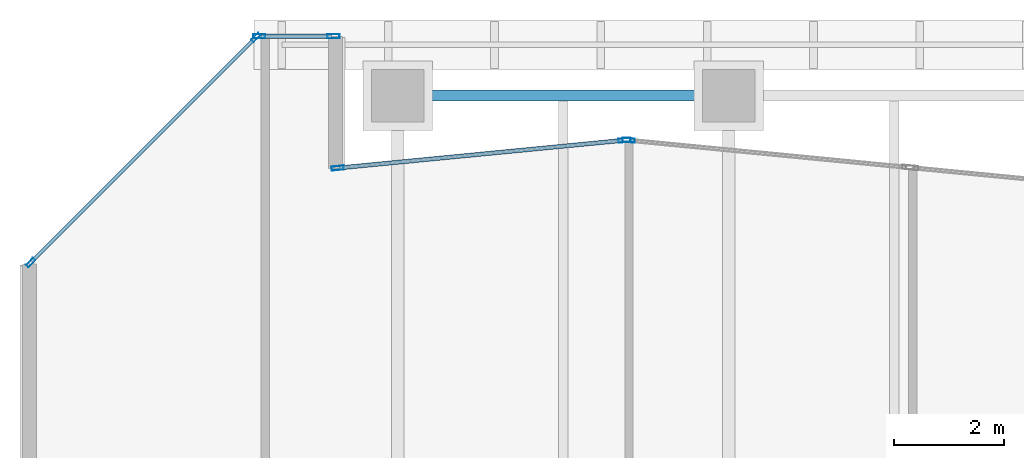
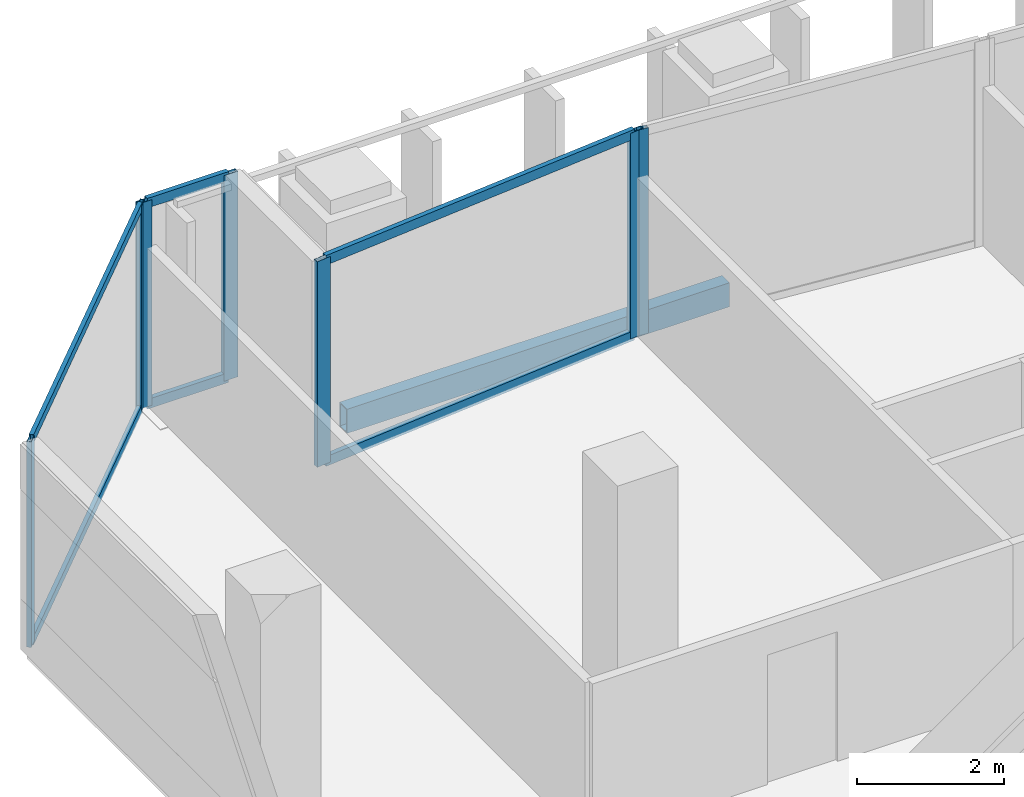
# One storey, part 12 of 39: 13 members, 1 beam, 4 elements without a shape of their own.
"""IFC4 building model written with IfcOpenShell, lengths in metres."""

import ifcopenshell
import ifcopenshell.guid

model = None  # the IFC model being written
_history = None  # IfcOwnerHistory: only IFC2X3 demands one
_inside = {}  # id of a spatial element -> (the spatial element, [elements in it])
_under = {}  # id of a project, library or spatial element -> (it, [spatial elements below it])
_declared = {}  # id of a project -> (the project, [libraries it declares])
_typed = {}  # id of a type object -> (the type object, [elements of that type])
_made_of = {}  # id of a material, layer set ... -> (it, [elements and type objects made of it])


def new_model(schema):
    """Start an empty IFC model of exactly this schema.

    Asked for "IFC4X3", IfcOpenShell would pick the latest addendum, in which some entities
    have other attributes; the version numbers below select the first issue.
    IFC2X3 requires an IfcOwnerHistory on every rooted entity: one is made here for all.
    """
    global model, _history
    if schema == "IFC4X3":
        model = ifcopenshell.file(schema_version=(4, 3, 0, 0))
    else:
        model = ifcopenshell.file(schema=schema)
    _inside.clear()
    _under.clear()
    _declared.clear()
    _typed.clear()
    _made_of.clear()
    _history = None
    if model.schema == "IFC2X3":
        org = make("IfcOrganization", Name="unknown")
        user = make(
            "IfcPersonAndOrganization",
            ThePerson=make("IfcPerson", FamilyName="unknown"),
            TheOrganization=org,
        )
        app = make(
            "IfcApplication",
            ApplicationDeveloper=org,
            Version="unknown",
            ApplicationFullName="unknown",
            ApplicationIdentifier="unknown",
        )
        _history = make(
            "IfcOwnerHistory",
            OwningUser=user,
            OwningApplication=app,
            ChangeAction="ADDED",
            CreationDate=0,
        )
    return model


def make(cls, **values):
    """One entity of the class cls with the attributes given. An attribute that is None is left unset."""
    return model.create_entity(
        cls, **{name: value for name, value in values.items() if value is not None}
    )


def rooted(cls, **values):
    """An entity with a GlobalId (a new one), such as an element, a storey or a relation."""
    return make(cls, GlobalId=ifcopenshell.guid.new(), OwnerHistory=_history, **values)


def si_unit(unit_type, name, prefix=None):
    """IfcSIUnit, for example si_unit("LENGTHUNIT", "METRE", prefix="MILLI")."""
    return make("IfcSIUnit", UnitType=unit_type, Prefix=prefix, Name=name)


def assignment(units):
    """IfcUnitAssignment: the units of a project."""
    return None if units is None else make("IfcUnitAssignment", Units=units)


def point(xyz):
    """IfcCartesianPoint."""
    return None if xyz is None else make("IfcCartesianPoint", Coordinates=xyz)


def direction(xyz):
    """IfcDirection."""
    return None if xyz is None else make("IfcDirection", DirectionRatios=xyz)


def frame(location, z_axis=None, x_axis=None):
    """IfcAxis2Placement3D, a coordinate frame: its origin and axes. An axis left out is left unset."""
    return make(
        "IfcAxis2Placement3D",
        Location=point(location),
        Axis=direction(z_axis),
        RefDirection=direction(x_axis),
    )


def frame_2d(location, x_axis=None):
    """IfcAxis2Placement2D, a coordinate frame in the plane: its origin and x axis."""
    return make(
        "IfcAxis2Placement2D", Location=point(location), RefDirection=direction(x_axis)
    )


def origin():
    """The frame at (0, 0, 0) with its axes left unset."""
    return frame((0.0, 0.0, 0.0))


def origin_2d():
    """The frame at (0, 0) in the plane with its x axis left unset."""
    return frame_2d((0.0, 0.0))


def place(relative_to, where):
    """IfcLocalPlacement: puts the frame where relative to a parent placement (None: the world)."""
    return make(
        "IfcLocalPlacement", PlacementRelTo=relative_to, RelativePlacement=where
    )


def context(
    kind, dimensions, precision=None, world=None, true_north=None, identifier=None
):
    """IfcGeometricRepresentationContext, for example the 3D "Model" context."""
    return make(
        "IfcGeometricRepresentationContext",
        ContextIdentifier=identifier,
        ContextType=kind,
        CoordinateSpaceDimension=dimensions,
        Precision=precision,
        WorldCoordinateSystem=world,
        TrueNorth=true_north,
    )


def subcontext(parent, identifier, kind, view, scale=None):
    """IfcGeometricRepresentationSubContext, for example "Body" below "Model"."""
    return make(
        "IfcGeometricRepresentationSubContext",
        ContextIdentifier=identifier,
        ContextType=kind,
        ParentContext=parent,
        TargetScale=scale,
        TargetView=view,
    )


def project(units=None, contexts=None):
    """IfcProject with its units and contexts."""
    return rooted(
        "IfcProject",
        Name="project",
        RepresentationContexts=contexts,
        UnitsInContext=assignment(units),
    )


def spatial(cls, under=None, at=None, **own):
    """A site, building, storey or space (cls), placed at a placement, below another one or the project."""
    s = rooted(cls, ObjectPlacement=at, **own)
    if under is not None:
        _under.setdefault(under.id(), (under, []))[1].append(s)
    return s


def profile(cls, at=None, kind="AREA", **sizes):
    """A parametric profile (cls). Its sizes go by their IFC names, for example OverallWidth=200.0."""
    return make(cls, ProfileType=kind, Position=at, **sizes)


def hollow_rectangle(**sizes):
    """IfcRectangleHollowProfileDef."""
    return profile("IfcRectangleHollowProfileDef", **sizes)


def extrude(swept, where, along, depth):
    """IfcExtrudedAreaSolid: the profile swept, set in the frame where, extruded along a direction by depth."""
    return make(
        "IfcExtrudedAreaSolid",
        SweptArea=swept,
        Position=where,
        ExtrudedDirection=direction(along),
        Depth=depth,
    )


def shape(context_of_items, identifier, shape_type, items):
    """IfcShapeRepresentation: the items that make up one representation, for example the "Body"."""
    return make(
        "IfcShapeRepresentation",
        ContextOfItems=context_of_items,
        RepresentationIdentifier=identifier,
        RepresentationType=shape_type,
        Items=items,
    )


def material(Name=None, Category=None):
    """IfcMaterial."""
    return make("IfcMaterial", Name=Name, Category=Category)


def layer(
    of_material, thickness, ventilated=None, Name=None, Category=None, Priority=None
):
    """IfcMaterialLayer: one layer of a wall or slab, of a material (None: an air gap)."""
    return make(
        "IfcMaterialLayer",
        Material=of_material,
        LayerThickness=thickness,
        IsVentilated=ventilated,
        Name=Name,
        Category=Category,
        Priority=Priority,
    )


def layer_set(layers, Name=None):
    """IfcMaterialLayerSet."""
    return make("IfcMaterialLayerSet", MaterialLayers=layers, LayerSetName=Name)


def material_profile(
    of_material, cross_section, Name=None, Category=None, Priority=None
):
    """IfcMaterialProfile: a cross section and its material."""
    return make(
        "IfcMaterialProfile",
        Name=Name,
        Material=of_material,
        Profile=cross_section,
        Priority=Priority,
        Category=Category,
    )


def profile_set(profiles, Name=None, composite=None):
    """IfcMaterialProfileSet."""
    return make(
        "IfcMaterialProfileSet",
        Name=Name,
        MaterialProfiles=profiles,
        CompositeProfile=composite,
    )


def made_of(thing, what):
    """Note that an element or type object is made of a material, layer set ...; save() writes the relation."""
    if what is not None:
        _made_of.setdefault(what.id(), (what, []))[1].append(thing)
    return thing


def type_object(cls, material=None, **own):
    """A type object (cls), such as IfcWallType, which elements share."""
    return made_of(rooted(cls, **own), material)


def element(
    cls,
    number,
    at=None,
    inside=None,
    cuts=None,
    type_object=None,
    material=None,
    context=None,
    identifier="Body",
    shape_type=None,
    held_by="IfcProductDefinitionShape",
    body=None,
    shapes=None,
    **own,
):
    """One element of the class cls, such as IfcWall. Its Tag is "e" and its number.

    at: its placement. inside: the storey or other place that contains it. cuts: it is an
    opening in that element (IfcRelVoidsElement). A single representation is given by context,
    identifier, shape_type and body (its items); several are given by shapes. held_by: the class
    of the entity that holds the representations. save() writes the other relations.
    """
    e = rooted(cls, Tag="e%d" % number, ObjectPlacement=at, **own)
    if body is not None:
        shapes = [shape(context, identifier, shape_type, body)]
    if shapes is not None:
        e.Representation = make(held_by, Representations=shapes)
    if inside is not None:
        _inside.setdefault(inside.id(), (inside, []))[1].append(e)
    if cuts is not None:
        rooted(
            "IfcRelVoidsElement", RelatingBuildingElement=cuts, RelatedOpeningElement=e
        )
    if type_object is not None:
        _typed.setdefault(type_object.id(), (type_object, []))[1].append(e)
    return made_of(e, material)


def aggregate(whole, parts):
    """IfcRelAggregates: a whole, such as a stair, and the parts it consists of."""
    return rooted("IfcRelAggregates", RelatingObject=whole, RelatedObjects=parts)


def save(model, path):
    """Write the relations noted so far, then the file.

    IfcRelAggregates (storeys below a building ...), IfcRelContainedInSpatialStructure (elements
    in a storey), IfcRelDefinesByType, IfcRelAssociatesMaterial and IfcRelDeclares: one each for
    every whole, place, type object, material and project.
    """
    for whole, parts in _under.values():
        aggregate(whole, parts)
    for where, things in _inside.values():
        rooted(
            "IfcRelContainedInSpatialStructure",
            RelatedElements=things,
            RelatingStructure=where,
        )
    for kind, things in _typed.values():
        rooted("IfcRelDefinesByType", RelatedObjects=things, RelatingType=kind)
    for what, things in _made_of.values():
        rooted("IfcRelAssociatesMaterial", RelatedObjects=things, RelatingMaterial=what)
    for by, libraries in _declared.values():
        rooted("IfcRelDeclares", RelatingContext=by, RelatedDefinitions=libraries)
    model.write(path)


model = new_model("IFC4")

# Units and contexts
model_context = context("Model", 3, precision=1e-05, world=origin(), true_north=direction((0.0, 1.0)))
body_context = subcontext(model_context, "Body", "Model", "MODEL_VIEW")
ifc_project = project(units=[si_unit("LENGTHUNIT", "METRE"), si_unit("AREAUNIT", "SQUARE_METRE"), si_unit("VOLUMEUNIT", "CUBIC_METRE"), si_unit("PLANEANGLEUNIT", "RADIAN"), si_unit("MASSUNIT", "GRAM", prefix="KILO")], contexts=[model_context])

# Site, building, storey
site_placement = place(None, origin())
site = spatial("IfcSite", under=ifc_project, at=site_placement, CompositionType="ELEMENT")
building_placement = place(site_placement, origin())
building = spatial("IfcBuilding", under=site, at=building_placement, Name="Tanjung Sevakor Pilgrim Tower", CompositionType="ELEMENT")
storey_placement = place(building_placement, frame((0.0, 0.0, 112.199951171875)))
storey = spatial("IfcBuildingStorey", under=building, at=storey_placement, Name="L31", CompositionType="ELEMENT", Elevation=112.199951171875)

# Beam
ifc_material_1 = material(Name="Steel S355J2", Category="steel")
ifc_material_profile_1 = material_profile(ifc_material_1, hollow_rectangle(XDim=0.199951171875, YDim=0.39990234375, WallThickness=0.01611328125, at=origin_2d()))
ifc_profile_set_1 = profile_set([ifc_material_profile_1], Name="Steel S355J2")
beam_type = type_object("IfcBeamType", Name="BM-B-SP2-RHS_400x200x16", PredefinedType="SPANDREL", material=ifc_profile_set_1)
beam_placement = place(storey_placement, frame((24.0, 56.39990234375, -0.419921875), z_axis=(1.0, 0.0, 0.0), x_axis=(0.0, 1.0, 0.0)))
element("IfcBeam", 1, at=beam_placement, inside=storey, type_object=beam_type, Name="L31 Spandrel MAIN N-02", PredefinedType="SPANDREL", context=body_context, shape_type="SweptSolid", body=[
    extrude(hollow_rectangle(XDim=0.199951171875, YDim=0.39990234375, WallThickness=0.01611328125, at=origin_2d()), origin(), (0.0, 0.0, 1.0), 6.0),
])

# Curtain wall, members
ifc_material_2 = material(Name="Aluminium 6063-T6 and Low-E Glass", Category="aluminium")
ifc_layer_1 = layer(ifc_material_2, 0.179931640625)
ifc_layer_set_1 = layer_set([ifc_layer_1], Name="CW-SYS-CHAM")
curtain_wall_type_1 = type_object("IfcCurtainWallType", Name="CW-SYS-CHAM", PredefinedType="NOTDEFINED", material=ifc_layer_set_1)
curtain_wall_1_placement = place(storey_placement, origin())
curtain_wall_1 = element("IfcCurtainWall", 2, at=curtain_wall_1_placement, inside=storey, type_object=curtain_wall_type_1, Name="L31 Curtain Wall CW-CHM-L31-MAIN-33", PredefinedType="NOTDEFINED")
ifc_material_3 = material(Name="Aluminium 6063-T6", Category="aluminium")
ifc_material_profile_2 = material_profile(ifc_material_3, hollow_rectangle(XDim=0.06494140625, YDim=0.179931640625, WallThickness=0.00390625, at=origin_2d()))
ifc_profile_set_2 = profile_set([ifc_material_profile_2], Name="Aluminium 6063-T6")
member_type_1 = type_object("IfcMemberType", Name="TYPE-CWM-1", PredefinedType="MULLION", material=ifc_profile_set_2)
member_1_placement = place(storey_placement, frame((21.4287109375, 57.451904296875, 0.0), z_axis=(0.0, 0.0, 1.0), x_axis=(0.707106781187, -0.707106781187, 0.0)))
member_1 = element("IfcMember", 3, at=member_1_placement, type_object=member_type_1, Name="CW-CHM mullion 1", PredefinedType="MULLION", context=body_context, shape_type="SweptSolid", body=[
    extrude(hollow_rectangle(XDim=0.06494140625, YDim=0.179931640625, WallThickness=0.00390625, at=origin_2d()), origin(), (0.0, 0.0, 1.0), 3.41015625),
])
member_2_placement = place(storey_placement, frame((17.347900390625, 53.37109375, 0.0), z_axis=(0.0, 0.0, 1.0), x_axis=(0.707106781187, -0.707106781187, 0.0)))
member_2 = element("IfcMember", 4, at=member_2_placement, type_object=member_type_1, Name="CW-CHM mullion 2", PredefinedType="MULLION", context=body_context, shape_type="SweptSolid", body=[
    extrude(hollow_rectangle(XDim=0.06494140625, YDim=0.179931640625, WallThickness=0.00390625, at=origin_2d()), origin(), (0.0, 0.0, 1.0), 3.41015625),
])

# Curtain wall, member
ifc_material_4 = material(Name="Aluminium 6063-T6 and Low-E Glass", Category="aluminium")
ifc_layer_2 = layer(ifc_material_4, 0.199951171875)
ifc_layer_set_2 = layer_set([ifc_layer_2], Name="CW-SYS-PRAY")
curtain_wall_type_2 = type_object("IfcCurtainWallType", Name="CW-SYS-PRAY", PredefinedType="NOTDEFINED", material=ifc_layer_set_2)
curtain_wall_2_placement = place(storey_placement, origin())
curtain_wall_2 = element("IfcCurtainWall", 5, at=curtain_wall_2_placement, inside=storey, type_object=curtain_wall_type_2, Name="L31 Curtain Wall CW-PRY-L31-29", PredefinedType="NOTDEFINED")
ifc_material_5 = material(Name="Aluminium 6063-T6", Category="aluminium")
ifc_material_profile_3 = material_profile(ifc_material_5, hollow_rectangle(XDim=0.074951171875, YDim=0.219970703125, WallThickness=0.0048828125, at=origin_2d()))
ifc_profile_set_3 = profile_set([ifc_material_profile_3], Name="Aluminium 6063-T6")
member_type_2 = type_object("IfcMemberType", Name="TYPE-CWM-2", PredefinedType="MULLION", material=ifc_profile_set_3)
member_3_placement = place(storey_placement, frame((28.187255859375, 55.5908203125, 0.0), z_axis=(0.0, 0.0, 1.0), x_axis=(-0.096628173007, -0.995320549462, 0.0)))
member_3 = element("IfcMember", 6, at=member_3_placement, type_object=member_type_2, Name="CW-PRY mullion 2", PredefinedType="MULLION", context=body_context, shape_type="SweptSolid", body=[
    extrude(hollow_rectangle(XDim=0.074951171875, YDim=0.219970703125, WallThickness=0.0048828125, at=origin_2d()), origin(), (0.0, 0.0, 1.0), 3.41015625),
])
aggregate(curtain_wall_2, [member_3])

# Curtain wall, members
curtain_wall_3_placement = place(storey_placement, origin())
curtain_wall_3 = element("IfcCurtainWall", 7, at=curtain_wall_3_placement, inside=storey, type_object=curtain_wall_type_2, Name="L31 Curtain Wall CW-PRY-L31-30", PredefinedType="NOTDEFINED")
member_4_placement = place(storey_placement, frame((28.11279296875, 55.5908203125, 0.0), z_axis=(0.0, 0.0, 1.0), x_axis=(0.096626302622, -0.995320731042, 0.0)))
member_4 = element("IfcMember", 8, at=member_4_placement, type_object=member_type_2, Name="CW-PRY mullion 1", PredefinedType="MULLION", context=body_context, shape_type="SweptSolid", body=[
    extrude(hollow_rectangle(XDim=0.074951171875, YDim=0.219970703125, WallThickness=0.0048828125, at=origin_2d()), origin(), (0.0, 0.0, 1.0), 3.41015625),
])
member_5_placement = place(storey_placement, frame((22.912353515625, 55.0859375, 0.0), z_axis=(0.0, 0.0, 1.0), x_axis=(0.096626302622, -0.995320731042, 0.0)))
member_5 = element("IfcMember", 9, at=member_5_placement, type_object=member_type_2, Name="CW-PRY mullion 2", PredefinedType="MULLION", context=body_context, shape_type="SweptSolid", body=[
    extrude(hollow_rectangle(XDim=0.074951171875, YDim=0.219970703125, WallThickness=0.0048828125, at=origin_2d()), origin(), (0.0, 0.0, 1.0), 3.41015625),
])

curtain_wall_4_placement = place(storey_placement, origin())
curtain_wall_4 = element("IfcCurtainWall", 10, at=curtain_wall_4_placement, inside=storey, type_object=curtain_wall_type_2, Name="L31 Curtain Wall CW-PRY-L31-32", PredefinedType="NOTDEFINED")
member_6_placement = place(storey_placement, frame((22.83740234375, 57.47509765625, 0.0), z_axis=(0.0, 0.0, 1.0), x_axis=(0.0, -1.0, 0.0)))
member_6 = element("IfcMember", 11, at=member_6_placement, type_object=member_type_2, Name="CW-PRY mullion 1", PredefinedType="MULLION", context=body_context, shape_type="SweptSolid", body=[
    extrude(hollow_rectangle(XDim=0.074951171875, YDim=0.219970703125, WallThickness=0.0048828125, at=origin_2d()), origin(), (0.0, 0.0, 1.0), 3.41015625),
])
member_7_placement = place(storey_placement, frame((21.4892578125, 57.47509765625, 0.0), z_axis=(0.0, 0.0, 1.0), x_axis=(0.0, -1.0, 0.0)))
member_7 = element("IfcMember", 12, at=member_7_placement, type_object=member_type_2, Name="CW-PRY mullion 2", PredefinedType="MULLION", context=body_context, shape_type="SweptSolid", body=[
    extrude(hollow_rectangle(XDim=0.074951171875, YDim=0.219970703125, WallThickness=0.0048828125, at=origin_2d()), origin(), (0.0, 0.0, 1.0), 3.41015625),
])

# Member
ifc_material_6 = material(Name="Aluminium 6063-T6", Category="aluminium")
ifc_material_profile_4 = material_profile(ifc_material_6, hollow_rectangle(XDim=0.06494140625, YDim=0.139892578125, WallThickness=0.00390625, at=origin_2d()))
ifc_profile_set_4 = profile_set([ifc_material_profile_4], Name="Aluminium 6063-T6")
member_type_3 = type_object("IfcMemberType", Name="TYPE-CWT-1", PredefinedType="USERDEFINED", material=ifc_profile_set_4)
member_8_placement = place(storey_placement, frame((21.40576171875, 57.428955078125, 0.032470703125), z_axis=(-0.707106781187, -0.707106781187, 0.0), x_axis=(0.707106781187, -0.707106781187, 0.0)))
member_8 = element("IfcMember", 13, at=member_8_placement, type_object=member_type_3, Name="CW-CHM transom 1.1", ObjectType="TRANSOM", PredefinedType="USERDEFINED", context=body_context, shape_type="SweptSolid", body=[
    extrude(hollow_rectangle(XDim=0.06494140625, YDim=0.139892578125, WallThickness=0.00390625, at=origin_2d()), origin(), (0.0, 0.0, 1.0), 5.706298828125),
])

member_9_placement = place(storey_placement, frame((21.40576171875, 57.428955078125, 3.37744140625), z_axis=(-0.707106781187, -0.707106781187, 0.0), x_axis=(0.707106781187, -0.707106781187, 0.0)))
member_9 = element("IfcMember", 14, at=member_9_placement, type_object=member_type_3, Name="CW-CHM transom 1.2", ObjectType="TRANSOM", PredefinedType="USERDEFINED", context=body_context, shape_type="SweptSolid", body=[
    extrude(hollow_rectangle(XDim=0.06494140625, YDim=0.139892578125, WallThickness=0.00390625, at=origin_2d()), origin(), (0.0, 0.0, 1.0), 5.706298828125),
])

aggregate(curtain_wall_1, [member_1, member_2, member_8, member_9])

ifc_material_7 = material(Name="Aluminium 6063-T6", Category="aluminium")
ifc_material_profile_5 = material_profile(ifc_material_7, hollow_rectangle(XDim=0.074951171875, YDim=0.159912109375, WallThickness=0.00439453125, at=origin_2d()))
ifc_profile_set_5 = profile_set([ifc_material_profile_5], Name="Aluminium 6063-T6")
member_type_4 = type_object("IfcMemberType", Name="TYPE-CWT-2", PredefinedType="USERDEFINED", material=ifc_profile_set_5)
member_10_placement = place(storey_placement, frame((28.075439453125, 55.587158203125, 0.03759765625), z_axis=(-0.99532167269, -0.096616602474, 0.0), x_axis=(0.096616602474, -0.99532167269, 0.0)))
member_10 = element("IfcMember", 15, at=member_10_placement, type_object=member_type_4, Name="CW-PRY transom 1.1", ObjectType="TRANSOM", PredefinedType="USERDEFINED", context=body_context, shape_type="SweptSolid", body=[
    extrude(hollow_rectangle(XDim=0.074951171875, YDim=0.159912109375, WallThickness=0.00439453125, at=origin_2d()), origin(), (0.0, 0.0, 1.0), 5.14990234375),
])

member_11_placement = place(storey_placement, frame((28.075439453125, 55.587158203125, 3.37255859375), z_axis=(-0.99532167269, -0.096616602474, 0.0), x_axis=(0.096616602474, -0.99532167269, 0.0)))
member_11 = element("IfcMember", 16, at=member_11_placement, type_object=member_type_4, Name="CW-PRY transom 1.2", ObjectType="TRANSOM", PredefinedType="USERDEFINED", context=body_context, shape_type="SweptSolid", body=[
    extrude(hollow_rectangle(XDim=0.074951171875, YDim=0.159912109375, WallThickness=0.00439453125, at=origin_2d()), origin(), (0.0, 0.0, 1.0), 5.14990234375),
])

aggregate(curtain_wall_3, [member_4, member_5, member_10, member_11])

member_12_placement = place(storey_placement, frame((22.800048828125, 57.47509765625, 0.03759765625), z_axis=(-1.0, 0.0, 0.0), x_axis=(0.0, -1.0, 0.0)))
member_12 = element("IfcMember", 17, at=member_12_placement, type_object=member_type_4, Name="CW-PRY transom 1.1", ObjectType="TRANSOM", PredefinedType="USERDEFINED", context=body_context, shape_type="SweptSolid", body=[
    extrude(hollow_rectangle(XDim=0.074951171875, YDim=0.159912109375, WallThickness=0.00439453125, at=origin_2d()), origin(), (0.0, 0.0, 1.0), 1.273193359375),
])

member_13_placement = place(storey_placement, frame((22.800048828125, 57.47509765625, 3.37255859375), z_axis=(-1.0, 0.0, 0.0), x_axis=(0.0, -1.0, 0.0)))
member_13 = element("IfcMember", 18, at=member_13_placement, type_object=member_type_4, Name="CW-PRY transom 1.2", ObjectType="TRANSOM", PredefinedType="USERDEFINED", context=body_context, shape_type="SweptSolid", body=[
    extrude(hollow_rectangle(XDim=0.074951171875, YDim=0.159912109375, WallThickness=0.00439453125, at=origin_2d()), origin(), (0.0, 0.0, 1.0), 1.273193359375),
])

aggregate(curtain_wall_4, [member_6, member_7, member_12, member_13])

save(model, "model.ifc")
